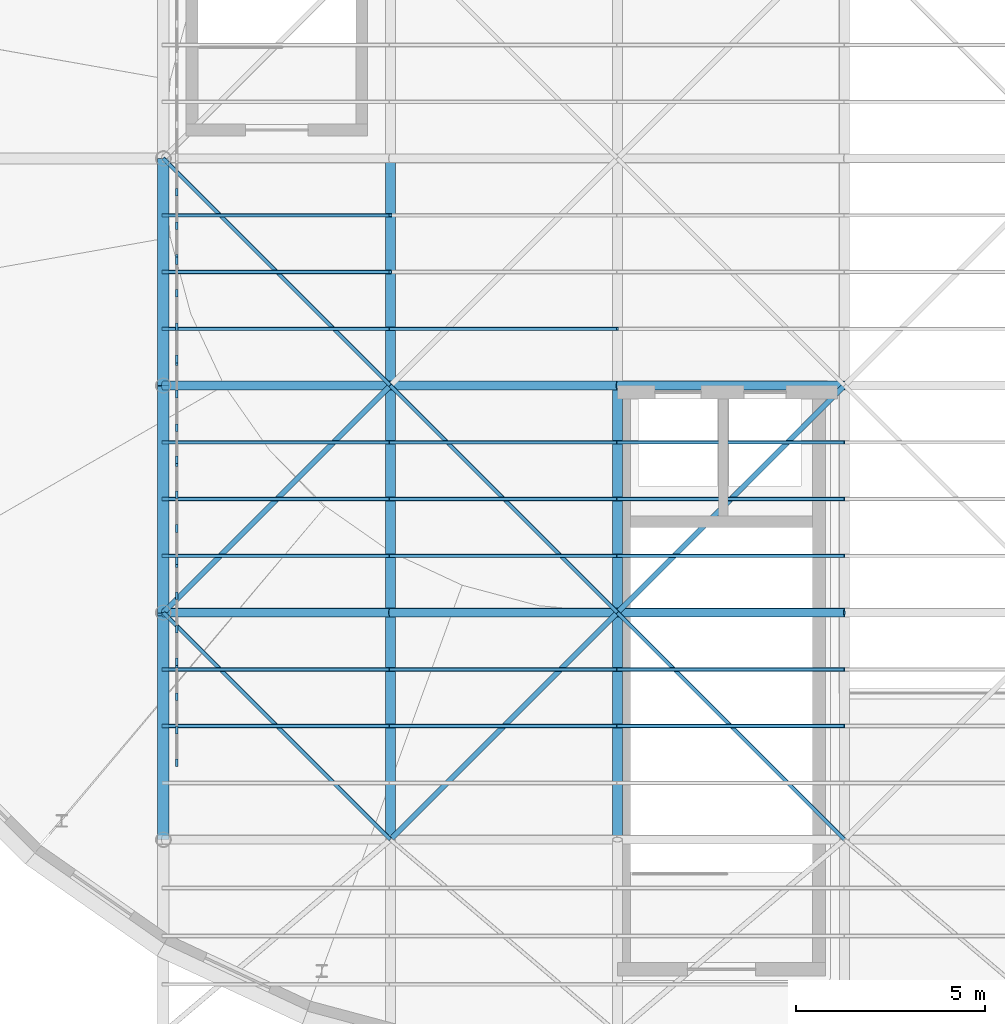
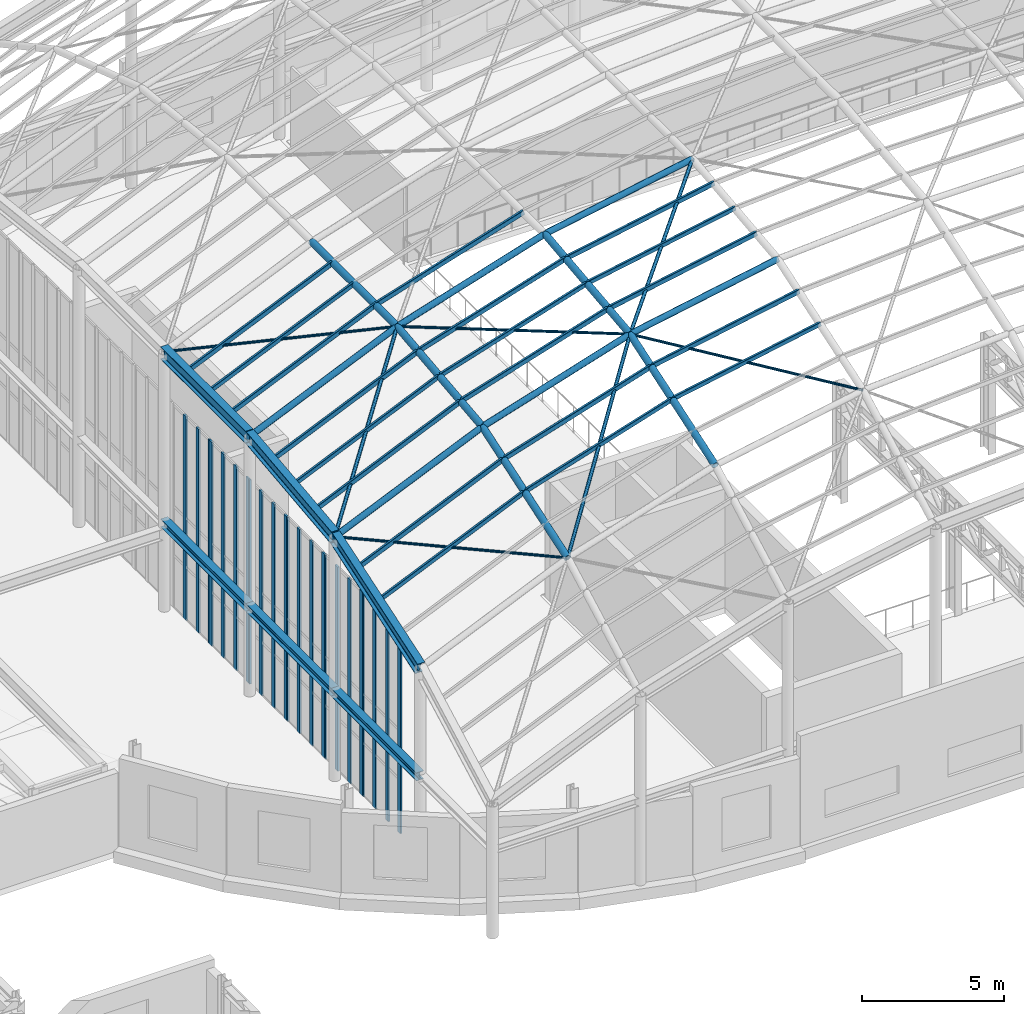
# One storey, part 19 of 75: 60 members, 6 beams, 6 elements without a shape of their own.
"""IFC4 building model written with IfcOpenShell, lengths in metres."""

from ifc_helpers import new_model, si_unit, direction, frame, origin, origin_2d, place, context, subcontext, project, spatial, rectangle, hollow_rectangle, hollow_circle, i_section, extrude, material, material_profile, profile_set, type_object, element, aggregate, save


model = new_model("IFC4")

# Units and contexts
model_context = context("Model", 3, precision=1e-05, world=origin(), true_north=direction((0.0, 1.0)))
body_context = subcontext(model_context, "Body", "Model", "MODEL_VIEW")
ifc_project = project(units=[si_unit("LENGTHUNIT", "METRE"), si_unit("AREAUNIT", "SQUARE_METRE"), si_unit("VOLUMEUNIT", "CUBIC_METRE"), si_unit("PLANEANGLEUNIT", "RADIAN"), si_unit("MASSUNIT", "GRAM", prefix="KILO")], contexts=[model_context])

# Site, building, storey
site_placement = place(None, origin())
site = spatial("IfcSite", under=ifc_project, at=site_placement, CompositionType="ELEMENT")
building_placement = place(site_placement, origin())
building = spatial("IfcBuilding", under=site, at=building_placement, Name="Kolvaren Corner Interchange", CompositionType="ELEMENT")
storey_placement = place(building_placement, frame((0.0, 0.0, 10.5)))
storey = spatial("IfcBuildingStorey", under=building, at=storey_placement, Name="L03", CompositionType="ELEMENT", Elevation=10.5)

# Beams
ifc_material_1 = material(Name="Steel S355", Category="steel")
ifc_material_profile_1 = material_profile(ifc_material_1, i_section(OverallWidth=0.300048828125, OverallDepth=0.35009765625, WebThickness=0.010009765625, FlangeThickness=0.017578125, FilletRadius=0.027099609375, at=origin_2d()), Name="HEA 360")
ifc_profile_set_1 = profile_set([ifc_material_profile_1], Name="Steel S355")
beam_type_1 = type_object("IfcBeamType", Name="BM-HEA360", PredefinedType="BEAM", material=ifc_profile_set_1)
for number, where, z_axis, x_axis, name in (
    (1, (48.0, 30.0, 3.77490234375), (0.0, 1.0, 0.0), (-1.0, 0.0, 0.0), "Storey L03 Grid Y Primary Girder 0926"),
    (2, (48.0, 36.0, 3.77490234375), (0.0, 1.0, 0.0), (-1.0, 0.0, 0.0), "Storey L03 Grid Y Primary Girder 0927"),
    (3, (48.0, 42.0, 3.77490234375), (0.0, 1.0, 0.0), (-1.0, 0.0, 0.0), "Storey L03 Grid Y Primary Girder 0928"),
):
    element("IfcBeam", number, at=place(storey_placement, frame(where, z_axis=z_axis, x_axis=x_axis)), inside=storey, type_object=beam_type_1, Name=name, PredefinedType="BEAM", context=body_context, shape_type="SweptSolid", body=[
        extrude(i_section(OverallWidth=0.300048828125, OverallDepth=0.35009765625, WebThickness=0.010009765625, FlangeThickness=0.017578125, FilletRadius=0.027099609375, at=origin_2d()), origin(), (0.0, 0.0, 1.0), 6.0),
    ])
ifc_material_2 = material(Name="Steel S355", Category="steel")
ifc_material_profile_2 = material_profile(ifc_material_2, i_section(OverallWidth=0.300048828125, OverallDepth=0.5400390625, WebThickness=0.012451171875, FlangeThickness=0.02392578125, FilletRadius=0.027099609375, at=origin_2d()), Name="HEA 550")
ifc_profile_set_2 = profile_set([ifc_material_profile_2], Name="Steel S355")
beam_type_2 = type_object("IfcBeamType", Name="BM-HEA550", PredefinedType="BEAM", material=ifc_profile_set_2)
beam_1_placement = place(storey_placement, frame((48.0, 30.0, 8.4130859375), z_axis=(0.0, 0.948683298051, 0.316227766017), x_axis=(-1.0, 0.0, 0.0)))
element("IfcBeam", 4, at=beam_1_placement, inside=storey, type_object=beam_type_2, Name="Concourse Translational Gridshell Eaves Ring Beam 030", PredefinedType="BEAM", context=body_context, shape_type="SweptSolid", body=[
    extrude(i_section(OverallWidth=0.300048828125, OverallDepth=0.5400390625, WebThickness=0.012451171875, FlangeThickness=0.02392578125, FilletRadius=0.027099609375, at=origin_2d()), origin(), (0.0, 0.0, 1.0), 6.324462890625),
])
beam_2_placement = place(storey_placement, frame((48.0, 36.0, 10.4130859375), z_axis=(0.0, 0.993877815052, 0.110484789662), x_axis=(-1.0, 0.0, 0.0)))
element("IfcBeam", 5, at=beam_2_placement, inside=storey, type_object=beam_type_2, Name="Concourse Translational Gridshell Eaves Ring Beam 031", PredefinedType="BEAM", context=body_context, shape_type="SweptSolid", body=[
    extrude(i_section(OverallWidth=0.300048828125, OverallDepth=0.5400390625, WebThickness=0.012451171875, FlangeThickness=0.02392578125, FilletRadius=0.027099609375, at=origin_2d()), origin(), (0.0, 0.0, 1.0), 6.036865234375),
])
beam_3_placement = place(storey_placement, frame((48.0, 42.0, 11.080078125), z_axis=(0.0, 1.0, 0.0), x_axis=(-1.0, 0.0, 0.0)))
element("IfcBeam", 6, at=beam_3_placement, inside=storey, type_object=beam_type_2, Name="Concourse Translational Gridshell Eaves Ring Beam 032", PredefinedType="BEAM", context=body_context, shape_type="SweptSolid", body=[
    extrude(i_section(OverallWidth=0.300048828125, OverallDepth=0.5400390625, WebThickness=0.012451171875, FlangeThickness=0.02392578125, FilletRadius=0.027099609375, at=origin_2d()), origin(), (0.0, 0.0, 1.0), 6.0),
])

# Members
ifc_material_3 = material(Name="Steel S355", Category="steel")
ifc_material_profile_3 = material_profile(ifc_material_3, hollow_circle(Radius=0.05078125, WallThickness=0.00634765625, at=origin_2d()), Name="CHS 101.6x6.3")
ifc_profile_set_3 = profile_set([ifc_material_profile_3], Name="Steel S355")
member_type_1 = type_object("IfcMemberType", Name="MEM-BR-CHS102", PredefinedType="BRACE", material=ifc_profile_set_3)
member_1_placement = place(storey_placement, frame((48.0, 36.0, 10.4130859375), z_axis=(0.705196401132, -0.705196401132, 0.073457958451), x_axis=(0.707106781187, 0.707106781187, 0.0)))
element("IfcMember", 7, at=member_1_placement, inside=storey, type_object=member_type_1, Name="Concourse Translational Gridshell Nodal Diagonal Brace 0002", PredefinedType="BRACE", context=body_context, shape_type="SweptSolid", body=[
    extrude(hollow_circle(Radius=0.05078125, WallThickness=0.00634765625, at=origin_2d()), origin(), (0.0, 0.0, 1.0), 8.50830078125),
])
member_2_placement = place(storey_placement, frame((48.0, 48.0, 11.080078125), z_axis=(0.675520529473, -0.675520529473, 0.295540231645), x_axis=(0.707106781187, 0.707106781187, 0.0)))
element("IfcMember", 8, at=member_2_placement, inside=storey, type_object=member_type_1, Name="Concourse Translational Gridshell Nodal Diagonal Brace 0004", PredefinedType="BRACE", context=body_context, shape_type="SweptSolid", body=[
    extrude(hollow_circle(Radius=0.05078125, WallThickness=0.00634765625, at=origin_2d()), origin(), (0.0, 0.0, 1.0), 8.882080078125),
])
member_3_placement = place(storey_placement, frame((54.0, 42.0, 13.705078125), z_axis=(0.700048143492, -0.700048143492, 0.140943937744), x_axis=(0.707106781187, 0.707106781187, 0.0)))
element("IfcMember", 9, at=member_3_placement, inside=storey, type_object=member_type_1, Name="Concourse Translational Gridshell Nodal Diagonal Brace 0011", PredefinedType="BRACE", context=body_context, shape_type="SweptSolid", body=[
    extrude(hollow_circle(Radius=0.05078125, WallThickness=0.00634765625, at=origin_2d()), origin(), (0.0, 0.0, 1.0), 8.57080078125),
])
member_4_placement = place(storey_placement, frame((60.0, 36.0, 14.9130859375), z_axis=(0.703376927704, -0.703376927704, -0.102575801957), x_axis=(0.707106781187, 0.707106781187, 0.0)))
element("IfcMember", 10, at=member_4_placement, inside=storey, type_object=member_type_1, Name="Concourse Translational Gridshell Nodal Diagonal Brace 0018", PredefinedType="BRACE", context=body_context, shape_type="SweptSolid", body=[
    extrude(hollow_circle(Radius=0.05078125, WallThickness=0.00634765625, at=origin_2d()), origin(), (0.0, 0.0, 1.0), 8.5302734375),
])
ifc_material_4 = material(Name="Steel S355", Category="steel")
ifc_material_profile_4 = material_profile(ifc_material_4, hollow_circle(Radius=0.06982421875, WallThickness=0.008056640625, at=origin_2d()), Name="CHS 139.7x8.0")
ifc_profile_set_4 = profile_set([ifc_material_profile_4], Name="Steel S355")
member_type_2 = type_object("IfcMemberType", Name="MEM-BR-CHS140", PredefinedType="BRACE", material=ifc_profile_set_4)
member_5_placement = place(storey_placement, frame((48.0, 36.0, 10.4130859375), z_axis=(0.6592323516, 0.6592323516, 0.361697958536), x_axis=(-0.707106781187, 0.707106781187, 0.0)))
element("IfcMember", 11, at=member_5_placement, inside=storey, type_object=member_type_2, Name="Concourse Translational Gridshell Nodal Diagonal Brace 0003", PredefinedType="BRACE", context=body_context, shape_type="SweptSolid", body=[
    extrude(hollow_circle(Radius=0.06982421875, WallThickness=0.008056640625, at=origin_2d()), origin(), (0.0, 0.0, 1.0), 9.1015625),
])
member_6_placement = place(storey_placement, frame((54.0, 30.0, 11.0380859375), z_axis=(0.643209763998, 0.643209763998, 0.415406305916), x_axis=(-0.707106781187, 0.707106781187, 0.0)))
element("IfcMember", 12, at=member_6_placement, inside=storey, type_object=member_type_2, Name="Concourse Translational Gridshell Nodal Diagonal Brace 0010", PredefinedType="BRACE", context=body_context, shape_type="SweptSolid", body=[
    extrude(hollow_circle(Radius=0.06982421875, WallThickness=0.008056640625, at=origin_2d()), origin(), (0.0, 0.0, 1.0), 9.328125),
])
member_7_placement = place(storey_placement, frame((60.0, 36.0, 14.9130859375), z_axis=(0.69184672185, 0.69184672185, 0.206630653417), x_axis=(-0.707106781187, 0.707106781187, 0.0)))
element("IfcMember", 13, at=member_7_placement, inside=storey, type_object=member_type_2, Name="Concourse Translational Gridshell Nodal Diagonal Brace 0019", PredefinedType="BRACE", context=body_context, shape_type="SweptSolid", body=[
    extrude(hollow_circle(Radius=0.06982421875, WallThickness=0.008056640625, at=origin_2d()), origin(), (0.0, 0.0, 1.0), 8.67236328125),
])
ifc_material_5 = material(Name="Steel S355", Category="steel")
ifc_material_profile_5 = material_profile(ifc_material_5, hollow_circle(Radius=0.122314453125, WallThickness=0.012451171875, at=origin_2d()), Name="CHS 244.5x12.5")
ifc_profile_set_5 = profile_set([ifc_material_profile_5], Name="Steel S355")
member_type_3 = type_object("IfcMemberType", Name="MEM-CH-CHS245", PredefinedType="CHORD", material=ifc_profile_set_5)
member_8_placement = place(storey_placement, frame((48.0, 36.0, 10.4130859375), z_axis=(0.916157334902, 0.0, 0.40081883402), x_axis=(0.0, 1.0, 0.0)))
element("IfcMember", 14, at=member_8_placement, inside=storey, type_object=member_type_3, Name="Concourse Translational Gridshell Longitudinal Arch Chord 0119", PredefinedType="CHORD", context=body_context, shape_type="SweptSolid", body=[
    extrude(hollow_circle(Radius=0.122314453125, WallThickness=0.012451171875, at=origin_2d()), origin(), (0.0, 0.0, 1.0), 6.549072265625),
])
member_9_placement = place(storey_placement, frame((54.0, 36.0, 13.0380859375), z_axis=(0.954479978035, 0.0, 0.298274993136), x_axis=(0.0, 1.0, 0.0)))
element("IfcMember", 15, at=member_9_placement, inside=storey, type_object=member_type_3, Name="Concourse Translational Gridshell Longitudinal Arch Chord 0120", PredefinedType="CHORD", context=body_context, shape_type="SweptSolid", body=[
    extrude(hollow_circle(Radius=0.122314453125, WallThickness=0.012451171875, at=origin_2d()), origin(), (0.0, 0.0, 1.0), 6.2861328125),
])
member_10_placement = place(storey_placement, frame((60.0, 36.0, 14.9130859375), z_axis=(0.982872186934, 0.0, 0.18428853505), x_axis=(0.0, 1.0, 0.0)))
element("IfcMember", 16, at=member_10_placement, inside=storey, type_object=member_type_3, Name="Concourse Translational Gridshell Longitudinal Arch Chord 0121", PredefinedType="CHORD", context=body_context, shape_type="SweptSolid", body=[
    extrude(hollow_circle(Radius=0.122314453125, WallThickness=0.012451171875, at=origin_2d()), origin(), (0.0, 0.0, 1.0), 6.1044921875),
])
member_11_placement = place(storey_placement, frame((48.0, 42.0, 11.080078125), z_axis=(0.916157334902, 0.0, 0.40081883402), x_axis=(0.0, 1.0, 0.0)))
element("IfcMember", 17, at=member_11_placement, inside=storey, type_object=member_type_3, Name="Concourse Translational Gridshell Longitudinal Arch Chord 0133", PredefinedType="CHORD", context=body_context, shape_type="SweptSolid", body=[
    extrude(hollow_circle(Radius=0.122314453125, WallThickness=0.012451171875, at=origin_2d()), origin(), (0.0, 0.0, 1.0), 6.549072265625),
])
member_12_placement = place(storey_placement, frame((54.0, 42.0, 13.705078125), z_axis=(0.954479978035, 0.0, 0.298274993136), x_axis=(0.0, 1.0, 0.0)))
element("IfcMember", 18, at=member_12_placement, inside=storey, type_object=member_type_3, Name="Concourse Translational Gridshell Longitudinal Arch Chord 0134", PredefinedType="CHORD", context=body_context, shape_type="SweptSolid", body=[
    extrude(hollow_circle(Radius=0.122314453125, WallThickness=0.012451171875, at=origin_2d()), origin(), (0.0, 0.0, 1.0), 6.2861328125),
])
member_13_placement = place(storey_placement, frame((60.0, 42.0, 15.580078125), z_axis=(0.982872186934, 0.0, 0.18428853505), x_axis=(0.0, 1.0, 0.0)))
element("IfcMember", 19, at=member_13_placement, inside=storey, type_object=member_type_3, Name="Concourse Translational Gridshell Longitudinal Arch Chord 0135", PredefinedType="CHORD", context=body_context, shape_type="SweptSolid", body=[
    extrude(hollow_circle(Radius=0.122314453125, WallThickness=0.012451171875, at=origin_2d()), origin(), (0.0, 0.0, 1.0), 6.1044921875),
])
ifc_material_6 = material(Name="Steel S355", Category="steel")
ifc_material_profile_6 = material_profile(ifc_material_6, hollow_circle(Radius=0.136474609375, WallThickness=0.012451171875, at=origin_2d()), Name="CHS 273.0x12.5")
ifc_profile_set_6 = profile_set([ifc_material_profile_6], Name="Steel S355")
member_type_4 = type_object("IfcMemberType", Name="MEM-CH-CHS273", PredefinedType="CHORD", material=ifc_profile_set_6)
member_14_placement = place(storey_placement, frame((54.0, 30.0, 11.0380859375), z_axis=(0.0, 0.948683298051, 0.316227766017), x_axis=(-1.0, 0.0, 0.0)))
element("IfcMember", 20, at=member_14_placement, inside=storey, type_object=member_type_4, Name="Concourse Translational Gridshell Transverse Arch Chord 0002", PredefinedType="CHORD", context=body_context, shape_type="SweptSolid", body=[
    extrude(hollow_circle(Radius=0.136474609375, WallThickness=0.012451171875, at=origin_2d()), origin(), (0.0, 0.0, 1.0), 6.324462890625),
])
member_15_placement = place(storey_placement, frame((54.0, 36.0, 13.0380859375), z_axis=(0.0, 0.993877815052, 0.110484789662), x_axis=(-1.0, 0.0, 0.0)))
element("IfcMember", 21, at=member_15_placement, inside=storey, type_object=member_type_4, Name="Concourse Translational Gridshell Transverse Arch Chord 0003", PredefinedType="CHORD", context=body_context, shape_type="SweptSolid", body=[
    extrude(hollow_circle(Radius=0.136474609375, WallThickness=0.012451171875, at=origin_2d()), origin(), (0.0, 0.0, 1.0), 6.036865234375),
])
member_16_placement = place(storey_placement, frame((54.0, 42.0, 13.705078125), z_axis=(0.0, 1.0, 0.0), x_axis=(-1.0, 0.0, 0.0)))
element("IfcMember", 22, at=member_16_placement, inside=storey, type_object=member_type_4, Name="Concourse Translational Gridshell Transverse Arch Chord 0004", PredefinedType="CHORD", context=body_context, shape_type="SweptSolid", body=[
    extrude(hollow_circle(Radius=0.136474609375, WallThickness=0.012451171875, at=origin_2d()), origin(), (0.0, 0.0, 1.0), 6.0),
])
member_17_placement = place(storey_placement, frame((60.0, 30.0, 12.9130859375), z_axis=(0.0, 0.948683298051, 0.316227766017), x_axis=(-1.0, 0.0, 0.0)))
element("IfcMember", 23, at=member_17_placement, inside=storey, type_object=member_type_4, Name="Concourse Translational Gridshell Transverse Arch Chord 0010", PredefinedType="CHORD", context=body_context, shape_type="SweptSolid", body=[
    extrude(hollow_circle(Radius=0.136474609375, WallThickness=0.012451171875, at=origin_2d()), origin(), (0.0, 0.0, 1.0), 6.324462890625),
])
member_18_placement = place(storey_placement, frame((60.0, 36.0, 14.9130859375), z_axis=(0.0, 0.993877815052, 0.110484789662), x_axis=(-1.0, 0.0, 0.0)))
element("IfcMember", 24, at=member_18_placement, inside=storey, type_object=member_type_4, Name="Concourse Translational Gridshell Transverse Arch Chord 0011", PredefinedType="CHORD", context=body_context, shape_type="SweptSolid", body=[
    extrude(hollow_circle(Radius=0.136474609375, WallThickness=0.012451171875, at=origin_2d()), origin(), (0.0, 0.0, 1.0), 6.036865234375),
])
ifc_material_7 = material(Name="Steel S355", Category="steel")
ifc_material_profile_7 = material_profile(ifc_material_7, hollow_rectangle(XDim=0.10009765625, YDim=0.179931640625, WallThickness=0.008056640625, InnerFilletRadius=0.008056640625, OuterFilletRadius=0.01611328125, at=origin_2d()), Name="RHS 180x100x8.0")
ifc_profile_set_7 = profile_set([ifc_material_profile_7], Name="Steel S355")
member_type_5 = type_object("IfcMemberType", Name="MEM-PR-RHS180", PredefinedType="PURLIN", material=ifc_profile_set_7)
for number, where, z_axis, x_axis, name in (
    (25, (48.0, 33.0, 9.4609375), (0.916157334902, 0.0, 0.40081883402), (0.0, 1.0, 0.0), "Concourse Translational Gridshell Glazing Purlin 0002 Row 2"),
    (26, (48.0, 39.0, 10.79443359375), (0.916157334902, 0.0, 0.40081883402), (0.0, 1.0, 0.0), "Concourse Translational Gridshell Glazing Purlin 0003 Row 2"),
    (27, (48.0, 45.0, 11.1279296875), (0.916157334902, 0.0, 0.40081883402), (0.0, 1.0, 0.0), "Concourse Translational Gridshell Glazing Purlin 0004 Row 2"),
):
    element("IfcMember", number, at=place(storey_placement, frame(where, z_axis=z_axis, x_axis=x_axis)), inside=storey, type_object=member_type_5, Name=name, PredefinedType="PURLIN", context=body_context, shape_type="SweptSolid", body=[
        extrude(hollow_rectangle(XDim=0.10009765625, YDim=0.179931640625, WallThickness=0.008056640625, InnerFilletRadius=0.008056640625, OuterFilletRadius=0.01611328125, at=origin_2d()), origin(), (0.0, 0.0, 1.0), 6.549072265625),
    ])
for number, where, z_axis, x_axis, name in (
    (28, (54.0, 33.0, 12.0859375), (0.954479978035, 0.0, 0.298274993136), (0.0, 1.0, 0.0), "Concourse Translational Gridshell Glazing Purlin 0010 Row 2"),
    (29, (54.0, 39.0, 13.41943359375), (0.954479978035, 0.0, 0.298274993136), (0.0, 1.0, 0.0), "Concourse Translational Gridshell Glazing Purlin 0011 Row 2"),
):
    element("IfcMember", number, at=place(storey_placement, frame(where, z_axis=z_axis, x_axis=x_axis)), inside=storey, type_object=member_type_5, Name=name, PredefinedType="PURLIN", context=body_context, shape_type="SweptSolid", body=[
        extrude(hollow_rectangle(XDim=0.10009765625, YDim=0.179931640625, WallThickness=0.008056640625, InnerFilletRadius=0.008056640625, OuterFilletRadius=0.01611328125, at=origin_2d()), origin(), (0.0, 0.0, 1.0), 6.2861328125),
    ])
for number, where, z_axis, x_axis, name in (
    (30, (60.0, 33.0, 13.9609375), (0.982872186934, 0.0, 0.18428853505), (0.0, 1.0, 0.0), "Concourse Translational Gridshell Glazing Purlin 0018 Row 2"),
    (31, (60.0, 39.0, 15.29443359375), (0.982872186934, 0.0, 0.18428853505), (0.0, 1.0, 0.0), "Concourse Translational Gridshell Glazing Purlin 0019 Row 2"),
):
    element("IfcMember", number, at=place(storey_placement, frame(where, z_axis=z_axis, x_axis=x_axis)), inside=storey, type_object=member_type_5, Name=name, PredefinedType="PURLIN", context=body_context, shape_type="SweptSolid", body=[
        extrude(hollow_rectangle(XDim=0.10009765625, YDim=0.179931640625, WallThickness=0.008056640625, InnerFilletRadius=0.008056640625, OuterFilletRadius=0.01611328125, at=origin_2d()), origin(), (0.0, 0.0, 1.0), 6.1044921875),
    ])
ifc_material_8 = material(Name="Steel S355", Category="steel")
ifc_material_profile_8 = material_profile(ifc_material_8, hollow_rectangle(XDim=0.10009765625, YDim=0.199951171875, WallThickness=0.008056640625, InnerFilletRadius=0.008056640625, OuterFilletRadius=0.01611328125, at=origin_2d()), Name="RHS 200x100x8.0")
ifc_profile_set_8 = profile_set([ifc_material_profile_8], Name="Steel S355")
member_type_6 = type_object("IfcMemberType", Name="MEM-PR-RHS200", PredefinedType="PURLIN", material=ifc_profile_set_8)
for number, where, z_axis, x_axis, name in (
    (32, (48.0, 34.5, 9.950927734375), (0.916157334902, 0.0, 0.40081883402), (0.0, 1.0, 0.0), "Concourse Translational Gridshell Glazing Purlin 0002 Row 3"),
    (33, (48.0, 37.5, 10.61767578125), (0.916157334902, 0.0, 0.40081883402), (0.0, 1.0, 0.0), "Concourse Translational Gridshell Glazing Purlin 0003 Row 1"),
    (34, (48.0, 40.5, 10.951171875), (0.916157334902, 0.0, 0.40081883402), (0.0, 1.0, 0.0), "Concourse Translational Gridshell Glazing Purlin 0003 Row 3"),
    (35, (48.0, 43.5, 11.117919921875), (0.916157334902, 0.0, 0.40081883402), (0.0, 1.0, 0.0), "Concourse Translational Gridshell Glazing Purlin 0004 Row 1"),
    (36, (48.0, 46.5, 11.117919921875), (0.916157334902, 0.0, 0.40081883402), (0.0, 1.0, 0.0), "Concourse Translational Gridshell Glazing Purlin 0004 Row 3"),
):
    element("IfcMember", number, at=place(storey_placement, frame(where, z_axis=z_axis, x_axis=x_axis)), inside=storey, type_object=member_type_6, Name=name, PredefinedType="PURLIN", context=body_context, shape_type="SweptSolid", body=[
        extrude(hollow_rectangle(XDim=0.10009765625, YDim=0.199951171875, WallThickness=0.008056640625, InnerFilletRadius=0.008056640625, OuterFilletRadius=0.01611328125, at=origin_2d()), origin(), (0.0, 0.0, 1.0), 6.549072265625),
    ])
for number, where, z_axis, x_axis, name in (
    (37, (54.0, 34.5, 12.575927734375), (0.954479978035, 0.0, 0.298274993136), (0.0, 1.0, 0.0), "Concourse Translational Gridshell Glazing Purlin 0010 Row 3"),
    (38, (54.0, 37.5, 13.24267578125), (0.954479978035, 0.0, 0.298274993136), (0.0, 1.0, 0.0), "Concourse Translational Gridshell Glazing Purlin 0011 Row 1"),
    (39, (54.0, 40.5, 13.576171875), (0.954479978035, 0.0, 0.298274993136), (0.0, 1.0, 0.0), "Concourse Translational Gridshell Glazing Purlin 0011 Row 3"),
    (40, (54.0, 43.5, 13.742919921875), (0.954479978035, 0.0, 0.298274993136), (0.0, 1.0, 0.0), "Concourse Translational Gridshell Glazing Purlin 0012 Row 1"),
):
    element("IfcMember", number, at=place(storey_placement, frame(where, z_axis=z_axis, x_axis=x_axis)), inside=storey, type_object=member_type_6, Name=name, PredefinedType="PURLIN", context=body_context, shape_type="SweptSolid", body=[
        extrude(hollow_rectangle(XDim=0.10009765625, YDim=0.199951171875, WallThickness=0.008056640625, InnerFilletRadius=0.008056640625, OuterFilletRadius=0.01611328125, at=origin_2d()), origin(), (0.0, 0.0, 1.0), 6.2861328125),
    ])
for number, where, z_axis, x_axis, name in (
    (41, (60.0, 34.5, 14.450927734375), (0.982872186934, 0.0, 0.18428853505), (0.0, 1.0, 0.0), "Concourse Translational Gridshell Glazing Purlin 0018 Row 3"),
    (42, (60.0, 37.5, 15.11767578125), (0.982872186934, 0.0, 0.18428853505), (0.0, 1.0, 0.0), "Concourse Translational Gridshell Glazing Purlin 0019 Row 1"),
    (43, (60.0, 40.5, 15.451171875), (0.982872186934, 0.0, 0.18428853505), (0.0, 1.0, 0.0), "Concourse Translational Gridshell Glazing Purlin 0019 Row 3"),
):
    element("IfcMember", number, at=place(storey_placement, frame(where, z_axis=z_axis, x_axis=x_axis)), inside=storey, type_object=member_type_6, Name=name, PredefinedType="PURLIN", context=body_context, shape_type="SweptSolid", body=[
        extrude(hollow_rectangle(XDim=0.10009765625, YDim=0.199951171875, WallThickness=0.008056640625, InnerFilletRadius=0.008056640625, OuterFilletRadius=0.01611328125, at=origin_2d()), origin(), (0.0, 0.0, 1.0), 6.1044921875),
    ])

# Curtain wall, members
ifc_material_9 = material(Name="Unitised Aluminium and Solar-Control Glass Curtain Wall", Category="aluminium")
curtain_wall_type = type_object("IfcCurtainWallType", Name="CW-V1-CLER", PredefinedType="NOTDEFINED", material=ifc_material_9)
curtain_wall_1_placement = place(storey_placement, origin())
curtain_wall_1 = element("IfcCurtainWall", 44, at=curtain_wall_1_placement, inside=storey, type_object=curtain_wall_type, Name="Gridshell West End Curtain Wall Bay 01", PredefinedType="NOTDEFINED")
ifc_material_10 = material(Name="Anodised Aluminium Framing", Category="aluminium")
ifc_material_profile_9 = material_profile(ifc_material_10, rectangle(XDim=0.070068359375, YDim=0.199951171875, at=origin_2d()), Name="ALU 70x200")
ifc_profile_set_9 = profile_set([ifc_material_profile_9], Name="Anodised Aluminium Framing")
member_type_7 = type_object("IfcMemberType", Name="MUL-ALU70x200", PredefinedType="MULLION", material=ifc_profile_set_9)
member_19_placement = place(storey_placement, frame((48.35009765625, 32.034912109375, 0.0), z_axis=(0.0, 0.0, 1.0), x_axis=(-1.0, 0.0, 0.0)))
member_19 = element("IfcMember", 45, at=member_19_placement, type_object=member_type_7, Name="CW-082 mullion 1", PredefinedType="MULLION", context=body_context, shape_type="SweptSolid", body=[
    extrude(rectangle(XDim=0.070068359375, YDim=0.199951171875, at=origin_2d()), origin(), (0.0, 0.0, 1.0), 8.77197265625),
])
member_20_placement = place(storey_placement, frame((48.35009765625, 32.888916015625, 0.0), z_axis=(0.0, 0.0, 1.0), x_axis=(-1.0, 0.0, 0.0)))
member_20 = element("IfcMember", 46, at=member_20_placement, type_object=member_type_7, Name="CW-082 mullion 2", PredefinedType="MULLION", context=body_context, shape_type="SweptSolid", body=[
    extrude(rectangle(XDim=0.070068359375, YDim=0.199951171875, at=origin_2d()), origin(), (0.0, 0.0, 1.0), 8.77197265625),
])
member_21_placement = place(storey_placement, frame((48.35009765625, 33.77783203125, 0.0), z_axis=(0.0, 0.0, 1.0), x_axis=(-1.0, 0.0, 0.0)))
member_21 = element("IfcMember", 47, at=member_21_placement, type_object=member_type_7, Name="CW-082 mullion 3", PredefinedType="MULLION", context=body_context, shape_type="SweptSolid", body=[
    extrude(rectangle(XDim=0.070068359375, YDim=0.199951171875, at=origin_2d()), origin(), (0.0, 0.0, 1.0), 8.77197265625),
])
member_22_placement = place(storey_placement, frame((48.35009765625, 34.631591796875, 0.0), z_axis=(0.0, 0.0, 1.0), x_axis=(-1.0, 0.0, 0.0)))
member_22 = element("IfcMember", 48, at=member_22_placement, type_object=member_type_7, Name="CW-082 mullion 4", PredefinedType="MULLION", context=body_context, shape_type="SweptSolid", body=[
    extrude(rectangle(XDim=0.070068359375, YDim=0.199951171875, at=origin_2d()), origin(), (0.0, 0.0, 1.0), 8.77197265625),
])
aggregate(curtain_wall_1, [member_19, member_20, member_21, member_22])

curtain_wall_2_placement = place(storey_placement, origin())
curtain_wall_2 = element("IfcCurtainWall", 49, at=curtain_wall_2_placement, inside=storey, type_object=curtain_wall_type, Name="Gridshell West End Curtain Wall Bay 02", PredefinedType="NOTDEFINED")
member_23_placement = place(storey_placement, frame((48.35009765625, 34.70166015625, 0.0), z_axis=(0.0, 0.0, 1.0), x_axis=(-1.0, 0.0, 0.0)))
member_23 = element("IfcMember", 50, at=member_23_placement, type_object=member_type_7, Name="CW-083 mullion 1", PredefinedType="MULLION", context=body_context, shape_type="SweptSolid", body=[
    extrude(rectangle(XDim=0.070068359375, YDim=0.199951171875, at=origin_2d()), origin(), (0.0, 0.0, 1.0), 8.77197265625),
])
member_24_placement = place(storey_placement, frame((48.35009765625, 35.5556640625, 0.0), z_axis=(0.0, 0.0, 1.0), x_axis=(-1.0, 0.0, 0.0)))
member_24 = element("IfcMember", 51, at=member_24_placement, type_object=member_type_7, Name="CW-083 mullion 2", PredefinedType="MULLION", context=body_context, shape_type="SweptSolid", body=[
    extrude(rectangle(XDim=0.070068359375, YDim=0.199951171875, at=origin_2d()), origin(), (0.0, 0.0, 1.0), 8.77197265625),
])
member_25_placement = place(storey_placement, frame((48.35009765625, 36.4443359375, 0.0), z_axis=(0.0, 0.0, 1.0), x_axis=(-1.0, 0.0, 0.0)))
member_25 = element("IfcMember", 52, at=member_25_placement, type_object=member_type_7, Name="CW-083 mullion 3", PredefinedType="MULLION", context=body_context, shape_type="SweptSolid", body=[
    extrude(rectangle(XDim=0.070068359375, YDim=0.199951171875, at=origin_2d()), origin(), (0.0, 0.0, 1.0), 8.77197265625),
])
member_26_placement = place(storey_placement, frame((48.35009765625, 37.29833984375, 0.0), z_axis=(0.0, 0.0, 1.0), x_axis=(-1.0, 0.0, 0.0)))
member_26 = element("IfcMember", 53, at=member_26_placement, type_object=member_type_7, Name="CW-083 mullion 4", PredefinedType="MULLION", context=body_context, shape_type="SweptSolid", body=[
    extrude(rectangle(XDim=0.070068359375, YDim=0.199951171875, at=origin_2d()), origin(), (0.0, 0.0, 1.0), 8.77197265625),
])
aggregate(curtain_wall_2, [member_23, member_24, member_25, member_26])

curtain_wall_3_placement = place(storey_placement, origin())
curtain_wall_3 = element("IfcCurtainWall", 54, at=curtain_wall_3_placement, inside=storey, type_object=curtain_wall_type, Name="Gridshell West End Curtain Wall Bay 03", PredefinedType="NOTDEFINED")
member_27_placement = place(storey_placement, frame((48.35009765625, 37.368408203125, 0.0), z_axis=(0.0, 0.0, 1.0), x_axis=(-1.0, 0.0, 0.0)))
member_27 = element("IfcMember", 55, at=member_27_placement, type_object=member_type_7, Name="CW-084 mullion 1", PredefinedType="MULLION", context=body_context, shape_type="SweptSolid", body=[
    extrude(rectangle(XDim=0.070068359375, YDim=0.199951171875, at=origin_2d()), origin(), (0.0, 0.0, 1.0), 8.77197265625),
])
member_28_placement = place(storey_placement, frame((48.35009765625, 38.22216796875, 0.0), z_axis=(0.0, 0.0, 1.0), x_axis=(-1.0, 0.0, 0.0)))
member_28 = element("IfcMember", 56, at=member_28_placement, type_object=member_type_7, Name="CW-084 mullion 2", PredefinedType="MULLION", context=body_context, shape_type="SweptSolid", body=[
    extrude(rectangle(XDim=0.070068359375, YDim=0.199951171875, at=origin_2d()), origin(), (0.0, 0.0, 1.0), 8.77197265625),
])
member_29_placement = place(storey_placement, frame((48.35009765625, 39.111083984375, 0.0), z_axis=(0.0, 0.0, 1.0), x_axis=(-1.0, 0.0, 0.0)))
member_29 = element("IfcMember", 57, at=member_29_placement, type_object=member_type_7, Name="CW-084 mullion 3", PredefinedType="MULLION", context=body_context, shape_type="SweptSolid", body=[
    extrude(rectangle(XDim=0.070068359375, YDim=0.199951171875, at=origin_2d()), origin(), (0.0, 0.0, 1.0), 8.77197265625),
])
member_30_placement = place(storey_placement, frame((48.35009765625, 39.965087890625, 0.0), z_axis=(0.0, 0.0, 1.0), x_axis=(-1.0, 0.0, 0.0)))
member_30 = element("IfcMember", 58, at=member_30_placement, type_object=member_type_7, Name="CW-084 mullion 4", PredefinedType="MULLION", context=body_context, shape_type="SweptSolid", body=[
    extrude(rectangle(XDim=0.070068359375, YDim=0.199951171875, at=origin_2d()), origin(), (0.0, 0.0, 1.0), 8.77197265625),
])
aggregate(curtain_wall_3, [member_27, member_28, member_29, member_30])

curtain_wall_4_placement = place(storey_placement, origin())
curtain_wall_4 = element("IfcCurtainWall", 59, at=curtain_wall_4_placement, inside=storey, type_object=curtain_wall_type, Name="Gridshell West End Curtain Wall Bay 04", PredefinedType="NOTDEFINED")
member_31_placement = place(storey_placement, frame((48.35009765625, 40.034912109375, 0.0), z_axis=(0.0, 0.0, 1.0), x_axis=(-1.0, 0.0, 0.0)))
member_31 = element("IfcMember", 60, at=member_31_placement, type_object=member_type_7, Name="CW-085 mullion 1", PredefinedType="MULLION", context=body_context, shape_type="SweptSolid", body=[
    extrude(rectangle(XDim=0.070068359375, YDim=0.199951171875, at=origin_2d()), origin(), (0.0, 0.0, 1.0), 8.77197265625),
])
member_32_placement = place(storey_placement, frame((48.35009765625, 40.888916015625, 0.0), z_axis=(0.0, 0.0, 1.0), x_axis=(-1.0, 0.0, 0.0)))
member_32 = element("IfcMember", 61, at=member_32_placement, type_object=member_type_7, Name="CW-085 mullion 2", PredefinedType="MULLION", context=body_context, shape_type="SweptSolid", body=[
    extrude(rectangle(XDim=0.070068359375, YDim=0.199951171875, at=origin_2d()), origin(), (0.0, 0.0, 1.0), 8.77197265625),
])
member_33_placement = place(storey_placement, frame((48.35009765625, 41.77783203125, 0.0), z_axis=(0.0, 0.0, 1.0), x_axis=(-1.0, 0.0, 0.0)))
member_33 = element("IfcMember", 62, at=member_33_placement, type_object=member_type_7, Name="CW-085 mullion 3", PredefinedType="MULLION", context=body_context, shape_type="SweptSolid", body=[
    extrude(rectangle(XDim=0.070068359375, YDim=0.199951171875, at=origin_2d()), origin(), (0.0, 0.0, 1.0), 8.77197265625),
])
member_34_placement = place(storey_placement, frame((48.35009765625, 42.631591796875, 0.0), z_axis=(0.0, 0.0, 1.0), x_axis=(-1.0, 0.0, 0.0)))
member_34 = element("IfcMember", 63, at=member_34_placement, type_object=member_type_7, Name="CW-085 mullion 4", PredefinedType="MULLION", context=body_context, shape_type="SweptSolid", body=[
    extrude(rectangle(XDim=0.070068359375, YDim=0.199951171875, at=origin_2d()), origin(), (0.0, 0.0, 1.0), 8.77197265625),
])
aggregate(curtain_wall_4, [member_31, member_32, member_33, member_34])

curtain_wall_5_placement = place(storey_placement, origin())
curtain_wall_5 = element("IfcCurtainWall", 64, at=curtain_wall_5_placement, inside=storey, type_object=curtain_wall_type, Name="Gridshell West End Curtain Wall Bay 05", PredefinedType="NOTDEFINED")
member_35_placement = place(storey_placement, frame((48.35009765625, 42.70166015625, 0.0), z_axis=(0.0, 0.0, 1.0), x_axis=(-1.0, 0.0, 0.0)))
member_35 = element("IfcMember", 65, at=member_35_placement, type_object=member_type_7, Name="CW-086 mullion 1", PredefinedType="MULLION", context=body_context, shape_type="SweptSolid", body=[
    extrude(rectangle(XDim=0.070068359375, YDim=0.199951171875, at=origin_2d()), origin(), (0.0, 0.0, 1.0), 8.77197265625),
])
member_36_placement = place(storey_placement, frame((48.35009765625, 43.5556640625, 0.0), z_axis=(0.0, 0.0, 1.0), x_axis=(-1.0, 0.0, 0.0)))
member_36 = element("IfcMember", 66, at=member_36_placement, type_object=member_type_7, Name="CW-086 mullion 2", PredefinedType="MULLION", context=body_context, shape_type="SweptSolid", body=[
    extrude(rectangle(XDim=0.070068359375, YDim=0.199951171875, at=origin_2d()), origin(), (0.0, 0.0, 1.0), 8.77197265625),
])
member_37_placement = place(storey_placement, frame((48.35009765625, 44.4443359375, 0.0), z_axis=(0.0, 0.0, 1.0), x_axis=(-1.0, 0.0, 0.0)))
member_37 = element("IfcMember", 67, at=member_37_placement, type_object=member_type_7, Name="CW-086 mullion 3", PredefinedType="MULLION", context=body_context, shape_type="SweptSolid", body=[
    extrude(rectangle(XDim=0.070068359375, YDim=0.199951171875, at=origin_2d()), origin(), (0.0, 0.0, 1.0), 8.77197265625),
])
member_38_placement = place(storey_placement, frame((48.35009765625, 45.29833984375, 0.0), z_axis=(0.0, 0.0, 1.0), x_axis=(-1.0, 0.0, 0.0)))
member_38 = element("IfcMember", 68, at=member_38_placement, type_object=member_type_7, Name="CW-086 mullion 4", PredefinedType="MULLION", context=body_context, shape_type="SweptSolid", body=[
    extrude(rectangle(XDim=0.070068359375, YDim=0.199951171875, at=origin_2d()), origin(), (0.0, 0.0, 1.0), 8.77197265625),
])
aggregate(curtain_wall_5, [member_35, member_36, member_37, member_38])

curtain_wall_6_placement = place(storey_placement, origin())
curtain_wall_6 = element("IfcCurtainWall", 69, at=curtain_wall_6_placement, inside=storey, type_object=curtain_wall_type, Name="Gridshell West End Curtain Wall Bay 06", PredefinedType="NOTDEFINED")
member_39_placement = place(storey_placement, frame((48.35009765625, 45.368408203125, 0.0), z_axis=(0.0, 0.0, 1.0), x_axis=(-1.0, 0.0, 0.0)))
member_39 = element("IfcMember", 70, at=member_39_placement, type_object=member_type_7, Name="CW-087 mullion 1", PredefinedType="MULLION", context=body_context, shape_type="SweptSolid", body=[
    extrude(rectangle(XDim=0.070068359375, YDim=0.199951171875, at=origin_2d()), origin(), (0.0, 0.0, 1.0), 8.77197265625),
])
member_40_placement = place(storey_placement, frame((48.35009765625, 46.22216796875, 0.0), z_axis=(0.0, 0.0, 1.0), x_axis=(-1.0, 0.0, 0.0)))
member_40 = element("IfcMember", 71, at=member_40_placement, type_object=member_type_7, Name="CW-087 mullion 2", PredefinedType="MULLION", context=body_context, shape_type="SweptSolid", body=[
    extrude(rectangle(XDim=0.070068359375, YDim=0.199951171875, at=origin_2d()), origin(), (0.0, 0.0, 1.0), 8.77197265625),
])
member_41_placement = place(storey_placement, frame((48.35009765625, 47.111083984375, 0.0), z_axis=(0.0, 0.0, 1.0), x_axis=(-1.0, 0.0, 0.0)))
member_41 = element("IfcMember", 72, at=member_41_placement, type_object=member_type_7, Name="CW-087 mullion 3", PredefinedType="MULLION", context=body_context, shape_type="SweptSolid", body=[
    extrude(rectangle(XDim=0.070068359375, YDim=0.199951171875, at=origin_2d()), origin(), (0.0, 0.0, 1.0), 8.77197265625),
])
aggregate(curtain_wall_6, [member_39, member_40, member_41])

save(model, "model.ifc")
